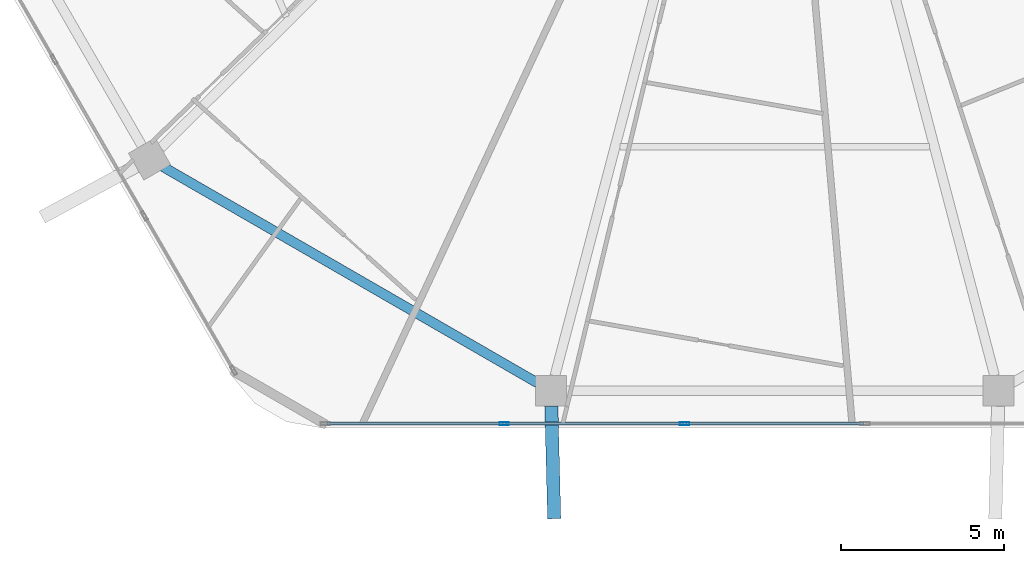
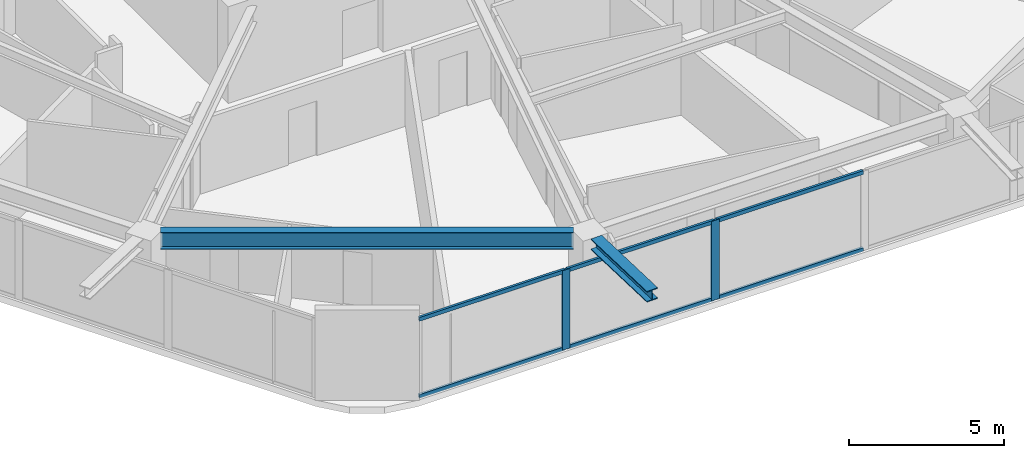
# One storey, part 3 of 26: 8 members, 2 beams, 1 element without a shape of its own.
"""IFC4 building model written with IfcOpenShell, lengths in metres."""

from ifc_helpers import new_model, si_unit, direction, frame, origin, origin_2d, place, context, subcontext, project, spatial, hollow_rectangle, i_section, extrude, material, material_profile, profile_set, type_object, element, aggregate, save


model = new_model("IFC4")

# Units and contexts
model_context = context("Model", 3, precision=1e-05, world=origin(), true_north=direction((0.0, 1.0)))
body_context = subcontext(model_context, "Body", "Model", "MODEL_VIEW")
ifc_project = project(units=[si_unit("LENGTHUNIT", "METRE"), si_unit("AREAUNIT", "SQUARE_METRE"), si_unit("VOLUMEUNIT", "CUBIC_METRE"), si_unit("PLANEANGLEUNIT", "RADIAN"), si_unit("MASSUNIT", "GRAM", prefix="KILO")], contexts=[model_context])

# Site, building, storey
site_placement = place(None, origin())
site = spatial("IfcSite", under=ifc_project, at=site_placement, CompositionType="ELEMENT")
building_placement = place(site_placement, origin())
building = spatial("IfcBuilding", under=site, at=building_placement, Name="Zuhravey Tower", CompositionType="ELEMENT")
storey_placement = place(building_placement, frame((0.0, 0.0, 211.199951171875)))
storey = spatial("IfcBuildingStorey", under=building, at=storey_placement, Name="L53", CompositionType="ELEMENT", Elevation=211.199951171875)

# Curtain wall, members
ifc_material_1 = material(Name="Thermally broken anodised aluminium", Category="aluminium")
curtain_wall_type = type_object("IfcCurtainWallType", Name="Zone 1-2 Residential Curtain Wall CW3", PredefinedType="NOTDEFINED", material=ifc_material_1)
curtain_wall_placement = place(storey_placement, origin())
curtain_wall = element("IfcCurtainWall", 1, at=curtain_wall_placement, inside=storey, type_object=curtain_wall_type, Name="L53 CW3 CW-L53-F5-1", PredefinedType="NOTDEFINED")
ifc_material_2 = material(Name="Anodised aluminium", Category="aluminium")
ifc_material_profile_1 = material_profile(ifc_material_2, hollow_rectangle(XDim=0.090087890625, YDim=0.284912109375, WallThickness=0.0048828125, at=origin_2d()), Name="ALU-RHS-90x285x5")
ifc_profile_set_1 = profile_set([ifc_material_profile_1], Name="Anodised aluminium")
member_type_1 = type_object("IfcMemberType", Name="Curtain-Wall Mullion 90x180", PredefinedType="MULLION", material=ifc_profile_set_1)
member_1_placement = place(storey_placement, frame((33.227783203125, 4.81689453125, 0.0), z_axis=(0.0, 0.0, 1.0), x_axis=(0.0, -1.0, 0.0)))
member_1 = element("IfcMember", 2, at=member_1_placement, type_object=member_type_1, Name="CW3 mullion 4", PredefinedType="MULLION", context=body_context, shape_type="SweptSolid", body=[
    extrude(hollow_rectangle(XDim=0.090087890625, YDim=0.284912109375, WallThickness=0.0048828125, at=origin_2d()), origin(), (0.0, 0.0, 1.0), 3.1220703125),
])
member_2_placement = place(storey_placement, frame((27.683349609375, 4.81689453125, 0.0), z_axis=(0.0, 0.0, 1.0), x_axis=(0.0, -1.0, 0.0)))
member_2 = element("IfcMember", 3, at=member_2_placement, type_object=member_type_1, Name="CW3 mullion 5", PredefinedType="MULLION", context=body_context, shape_type="SweptSolid", body=[
    extrude(hollow_rectangle(XDim=0.090087890625, YDim=0.284912109375, WallThickness=0.0048828125, at=origin_2d()), origin(), (0.0, 0.0, 1.0), 3.1220703125),
])
ifc_material_profile_2 = material_profile(ifc_material_2, hollow_rectangle(XDim=0.090087890625, YDim=0.14990234375, WallThickness=0.0048828125, at=origin_2d()), Name="ALU-RHS-90x150x5")
ifc_profile_set_2 = profile_set([ifc_material_profile_2], Name="Anodised aluminium")
member_type_2 = type_object("IfcMemberType", Name="Curtain-Wall Transom 90x150", PredefinedType="USERDEFINED", material=ifc_profile_set_2)
member_3_placement = place(storey_placement, frame((38.727294921875, 4.81689453125, 0.045166015625), z_axis=(-1.0, 0.0, 0.0), x_axis=(0.0, -1.0, 0.0)))
member_3 = element("IfcMember", 4, at=member_3_placement, type_object=member_type_2, Name="CW3 transom 3.1", ObjectType="TRANSOM", PredefinedType="USERDEFINED", context=body_context, shape_type="SweptSolid", body=[
    extrude(hollow_rectangle(XDim=0.090087890625, YDim=0.14990234375, WallThickness=0.0048828125, at=origin_2d()), origin(), (0.0, 0.0, 1.0), 5.45458984375),
])
member_4_placement = place(storey_placement, frame((38.727294921875, 4.81689453125, 3.0771484375), z_axis=(-1.0, 0.0, 0.0), x_axis=(0.0, -1.0, 0.0)))
member_4 = element("IfcMember", 5, at=member_4_placement, type_object=member_type_2, Name="CW3 transom 3.2", ObjectType="TRANSOM", PredefinedType="USERDEFINED", context=body_context, shape_type="SweptSolid", body=[
    extrude(hollow_rectangle(XDim=0.090087890625, YDim=0.14990234375, WallThickness=0.0048828125, at=origin_2d()), origin(), (0.0, 0.0, 1.0), 5.45458984375),
])
member_5_placement = place(storey_placement, frame((33.182861328125, 4.81689453125, 0.045166015625), z_axis=(-1.0, 0.0, 0.0), x_axis=(0.0, -1.0, 0.0)))
member_5 = element("IfcMember", 6, at=member_5_placement, type_object=member_type_2, Name="CW3 transom 4.1", ObjectType="TRANSOM", PredefinedType="USERDEFINED", context=body_context, shape_type="SweptSolid", body=[
    extrude(hollow_rectangle(XDim=0.090087890625, YDim=0.14990234375, WallThickness=0.0048828125, at=origin_2d()), origin(), (0.0, 0.0, 1.0), 5.45458984375),
])
member_6_placement = place(storey_placement, frame((33.182861328125, 4.81689453125, 3.0771484375), z_axis=(-1.0, 0.0, 0.0), x_axis=(0.0, -1.0, 0.0)))
member_6 = element("IfcMember", 7, at=member_6_placement, type_object=member_type_2, Name="CW3 transom 4.2", ObjectType="TRANSOM", PredefinedType="USERDEFINED", context=body_context, shape_type="SweptSolid", body=[
    extrude(hollow_rectangle(XDim=0.090087890625, YDim=0.14990234375, WallThickness=0.0048828125, at=origin_2d()), origin(), (0.0, 0.0, 1.0), 5.45458984375),
])
member_7_placement = place(storey_placement, frame((27.638427734375, 4.81689453125, 0.045166015625), z_axis=(-1.0, 0.0, 0.0), x_axis=(0.0, -1.0, 0.0)))
member_7 = element("IfcMember", 8, at=member_7_placement, type_object=member_type_2, Name="CW3 transom 5.1", ObjectType="TRANSOM", PredefinedType="USERDEFINED", context=body_context, shape_type="SweptSolid", body=[
    extrude(hollow_rectangle(XDim=0.090087890625, YDim=0.14990234375, WallThickness=0.0048828125, at=origin_2d()), origin(), (0.0, 0.0, 1.0), 5.409423828125),
])
member_8_placement = place(storey_placement, frame((27.638427734375, 4.81689453125, 3.0771484375), z_axis=(-1.0, 0.0, 0.0), x_axis=(0.0, -1.0, 0.0)))
member_8 = element("IfcMember", 9, at=member_8_placement, type_object=member_type_2, Name="CW3 transom 5.2", ObjectType="TRANSOM", PredefinedType="USERDEFINED", context=body_context, shape_type="SweptSolid", body=[
    extrude(hollow_rectangle(XDim=0.090087890625, YDim=0.14990234375, WallThickness=0.0048828125, at=origin_2d()), origin(), (0.0, 0.0, 1.0), 5.409423828125),
])
aggregate(curtain_wall, [member_1, member_2, member_3, member_4, member_5, member_6, member_7, member_8])

# Beams
ifc_material_3 = material(Name="Steel SM460", Category="steel")
ifc_material_profile_3 = material_profile(ifc_material_3, i_section(OverallWidth=0.406982421875, OverallDepth=0.427978515625, WebThickness=0.02001953125, FlangeThickness=0.034912109375, at=origin_2d()), Name="H-428x407x20x35")
ifc_profile_set_3 = profile_set([ifc_material_profile_3], Name="Steel SM460")
beam_type_1 = type_object("IfcBeamType", Name="Exoskeleton Node Tie Beam H428x407", PredefinedType="BEAM", material=ifc_profile_set_3)
beam_1_placement = place(storey_placement, frame((29.13037109375, 5.347900390625, 3.3359375), z_axis=(0.02549326595, -0.999674993881, 0.0), x_axis=(0.999674993881, 0.02549326595, 0.0)))
element("IfcBeam", 10, at=beam_1_placement, inside=storey, type_object=beam_type_1, Name="L53 Exoskeleton Node Tie NT1-09", PredefinedType="BEAM", context=body_context, shape_type="SweptSolid", body=[
    extrude(i_section(OverallWidth=0.406982421875, OverallDepth=0.427978515625, WebThickness=0.02001953125, FlangeThickness=0.034912109375, at=origin_2d()), origin(), (0.0, 0.0, 1.0), 3.457275390625),
])
ifc_material_4 = material(Name="Steel SM355", Category="steel")
ifc_material_profile_4 = material_profile(ifc_material_4, i_section(OverallWidth=0.300048828125, OverallDepth=0.679931640625, WebThickness=0.012939453125, FlangeThickness=0.02197265625, at=origin_2d()), Name="H-680x300x13x22")
ifc_profile_set_4 = profile_set([ifc_material_profile_4], Name="Steel SM355")
beam_type_2 = type_object("IfcBeamType", Name="Perimeter Ring Beam H680x300", PredefinedType="BEAM", material=ifc_profile_set_4)
beam_2_placement = place(storey_placement, frame((17.1884765625, 12.71435546875, 3.2099609375), z_axis=(0.866029041019, -0.499993700073, 0.0), x_axis=(0.499993700073, 0.866029041019, 0.0)))
element("IfcBeam", 11, at=beam_2_placement, inside=storey, type_object=beam_type_2, Name="L53 PB2 BM-L53-PB-08", PredefinedType="BEAM", context=body_context, shape_type="SweptSolid", body=[
    extrude(i_section(OverallWidth=0.300048828125, OverallDepth=0.679931640625, WebThickness=0.012939453125, FlangeThickness=0.02197265625, at=origin_2d()), origin(), (0.0, 0.0, 1.0), 13.297119140625),
])

save(model, "model.ifc")
